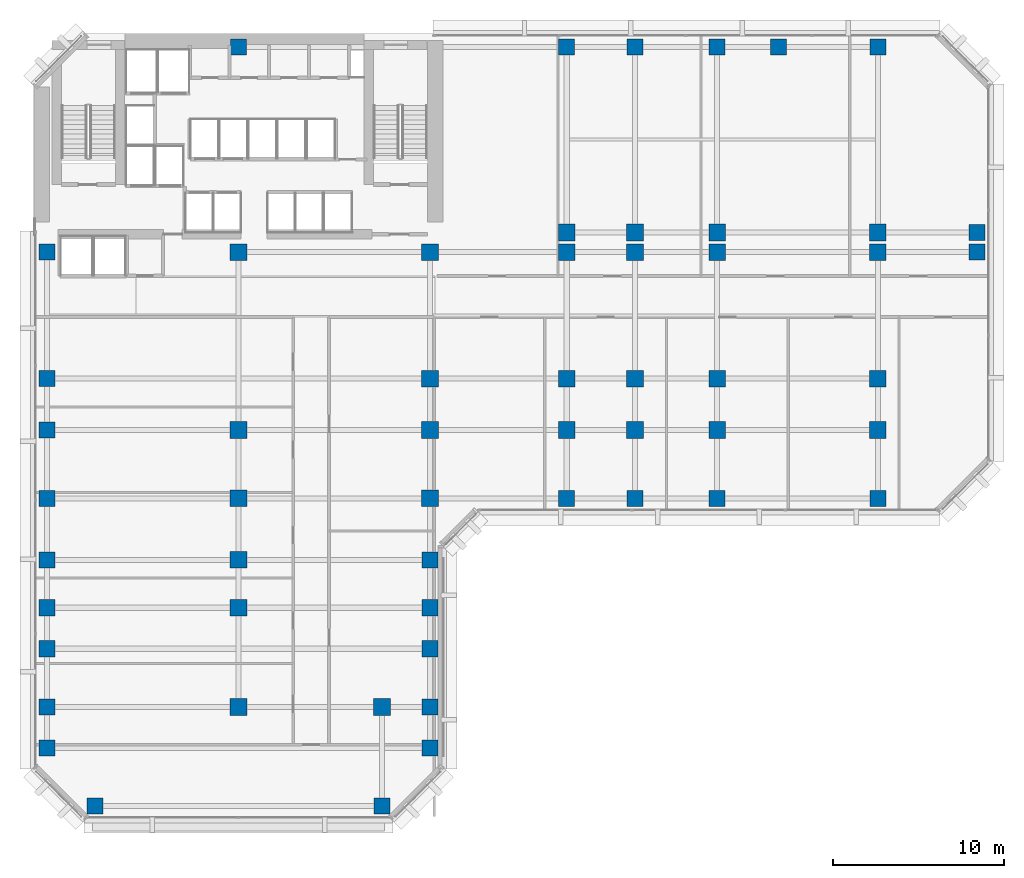
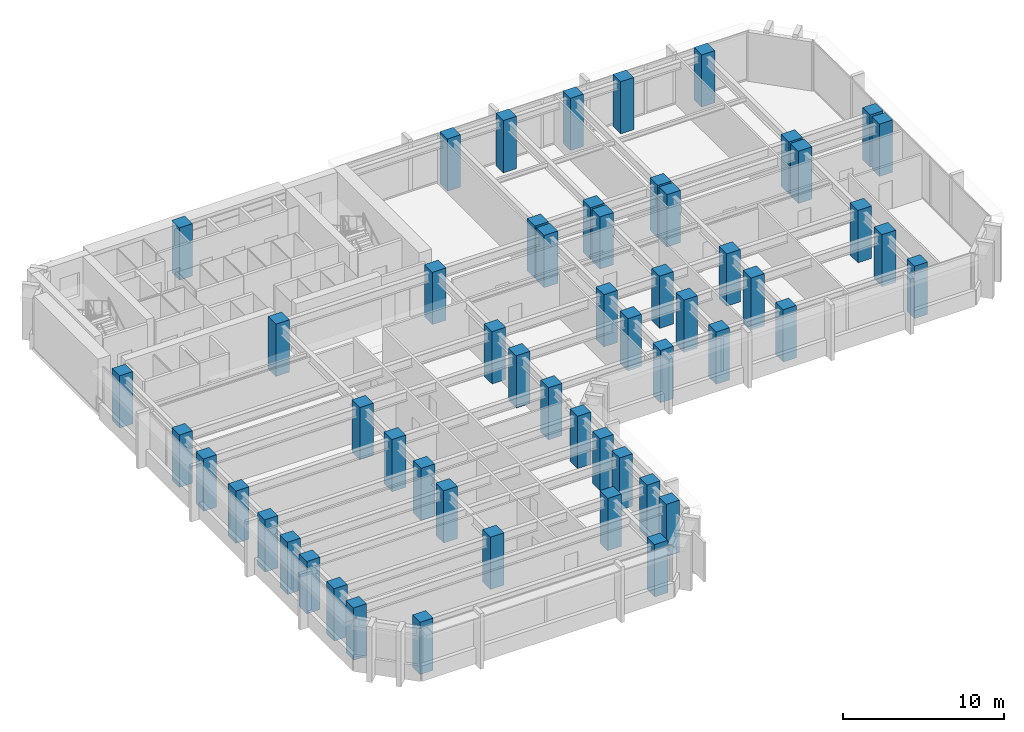
# One storey, part 1 of 13: 55 columns.
"""IFC4 building model written with IfcOpenShell, lengths in metres."""

from ifc_helpers import new_model, si_unit, direction, frame, origin, origin_2d, place, context, subcontext, project, spatial, rectangle, extrude, material, material_profile, profile_set, type_object, element, save


model = new_model("IFC4")

# Units and contexts
model_context = context("Model", 3, precision=1e-05, world=origin(), true_north=direction((0.0, 1.0)))
body_context = subcontext(model_context, "Body", "Model", "MODEL_VIEW")
ifc_project = project(units=[si_unit("LENGTHUNIT", "METRE"), si_unit("AREAUNIT", "SQUARE_METRE"), si_unit("VOLUMEUNIT", "CUBIC_METRE"), si_unit("PLANEANGLEUNIT", "RADIAN"), si_unit("MASSUNIT", "GRAM", prefix="KILO")], contexts=[model_context])

# Site, building, storey
site_placement = place(None, origin())
site = spatial("IfcSite", under=ifc_project, at=site_placement, CompositionType="ELEMENT")
building_placement = place(site_placement, origin())
building = spatial("IfcBuilding", under=site, at=building_placement, Name="Kefirva Bronze Tower", CompositionType="ELEMENT")
storey_placement = place(building_placement, frame((0.0, 0.0, 58.080078125)))
storey = spatial("IfcBuildingStorey", under=building, at=storey_placement, Name="L13", CompositionType="ELEMENT", Elevation=58.080078125)

# Columns
ifc_material = material(Name="Concrete C60/75", Category="concrete")
ifc_material_profile_1 = material_profile(ifc_material, rectangle(XDim=0.93994140625, YDim=0.93994140625, at=origin_2d()), Name="RC 940x940")
ifc_profile_set_1 = profile_set([ifc_material_profile_1], Name="Concrete C60/75")
column_type_1 = type_object("IfcColumnType", Name="RC Column 940x940 Ext", PredefinedType="COLUMN", material=ifc_profile_set_1)
for number, where, z_axis, x_axis, name in (
    (1, (0.800048828125, 4.199951171875, 0.0), (0.0, 0.0, 1.0), (1.0, 0.0, 0.0), "L13 Column C008_042"),
    (2, (0.800048828125, 6.60009765625, 0.0), (0.0, 0.0, 1.0), (1.0, 0.0, 0.0), "L13 Column C008_066"),
    (3, (0.800048828125, 10.0, 0.0), (0.0, 0.0, 1.0), (1.0, 0.0, 0.0), "L13 Column C008_100"),
    (4, (0.800048828125, 12.39990234375, 0.0), (0.0, 0.0, 1.0), (1.0, 0.0, 0.0), "L13 Column C008_124"),
    (5, (0.800048828125, 15.199951171875, 0.0), (0.0, 0.0, 1.0), (1.0, 0.0, 0.0), "L13 Column C008_152"),
    (6, (0.800048828125, 18.800048828125, 0.0), (0.0, 0.0, 1.0), (1.0, 0.0, 0.0), "L13 Column C008_188"),
    (7, (0.800048828125, 22.800048828125, 0.0), (0.0, 0.0, 1.0), (1.0, 0.0, 0.0), "L13 Column C008_228"),
    (8, (0.800048828125, 25.800048828125, 0.0), (0.0, 0.0, 1.0), (1.0, 0.0, 0.0), "L13 Column C008_258"),
    (9, (0.800048828125, 33.199951171875, 0.0), (0.0, 0.0, 1.0), (1.0, 0.0, 0.0), "L13 Column C008_332"),
    (10, (3.60009765625, 0.800048828125, 0.0), (0.0, 0.0, 1.0), (1.0, 0.0, 0.0), "L13 Column C036_008"),
    (11, (12.0, 45.199951171875, 0.0), (0.0, 0.0, 1.0), (1.0, 0.0, 0.0), "L13 Column C120_452"),
    (12, (20.39990234375, 0.800048828125, 0.0), (0.0, 0.0, 1.0), (1.0, 0.0, 0.0), "L13 Column C204_008"),
    (13, (23.199951171875, 4.199951171875, 0.0), (0.0, 0.0, 1.0), (1.0, 0.0, 0.0), "L13 Column C232_042"),
    (14, (23.199951171875, 6.60009765625, 0.0), (0.0, 0.0, 1.0), (1.0, 0.0, 0.0), "L13 Column C232_066"),
    (15, (23.199951171875, 10.0, 0.0), (0.0, 0.0, 1.0), (1.0, 0.0, 0.0), "L13 Column C232_100"),
    (16, (23.199951171875, 12.39990234375, 0.0), (0.0, 0.0, 1.0), (1.0, 0.0, 0.0), "L13 Column C232_124"),
    (17, (23.199951171875, 15.199951171875, 0.0), (0.0, 0.0, 1.0), (1.0, 0.0, 0.0), "L13 Column C232_152"),
    (18, (31.199951171875, 18.800048828125, 0.0), (0.0, 0.0, 1.0), (1.0, 0.0, 0.0), "L13 Column C312_188"),
    (19, (31.199951171875, 45.199951171875, 0.0), (0.0, 0.0, 1.0), (1.0, 0.0, 0.0), "L13 Column C312_452"),
    (20, (35.199951171875, 18.800048828125, 0.0), (0.0, 0.0, 1.0), (1.0, 0.0, 0.0), "L13 Column C352_188"),
    (21, (35.199951171875, 45.199951171875, 0.0), (0.0, 0.0, 1.0), (1.0, 0.0, 0.0), "L13 Column C352_452"),
    (22, (40.0, 18.800048828125, 0.0), (0.0, 0.0, 1.0), (1.0, 0.0, 0.0), "L13 Column C400_188"),
    (23, (40.0, 45.199951171875, 0.0), (0.0, 0.0, 1.0), (1.0, 0.0, 0.0), "L13 Column C400_452"),
    (24, (43.60009765625, 45.199951171875, 0.0), (0.0, 0.0, 1.0), (1.0, 0.0, 0.0), "L13 Column C436_452"),
    (25, (49.39990234375, 18.800048828125, 0.0), (0.0, 0.0, 1.0), (1.0, 0.0, 0.0), "L13 Column C494_188"),
    (26, (49.39990234375, 45.199951171875, 0.0), (0.0, 0.0, 1.0), (1.0, 0.0, 0.0), "L13 Column C494_452"),
    (27, (55.199951171875, 33.199951171875, 0.0), (0.0, 0.0, 1.0), (1.0, 0.0, 0.0), "L13 Column C552_332"),
    (28, (55.199951171875, 34.35009765625, 0.0), (0.0, 0.0, 1.0), (1.0, 0.0, 0.0), "L13 Column C552_344"),
):
    element("IfcColumn", number, at=place(storey_placement, frame(where, z_axis=z_axis, x_axis=x_axis)), inside=storey, type_object=column_type_1, Name=name, PredefinedType="COLUMN", context=body_context, shape_type="SweptSolid", body=[
        extrude(rectangle(XDim=0.93994140625, YDim=0.93994140625, at=origin_2d()), origin(), (0.0, 0.0, 1.0), 3.9599609375),
    ])
ifc_material_profile_2 = material_profile(ifc_material, rectangle(XDim=0.97998046875, YDim=0.97998046875, at=origin_2d()), Name="RC 980x980")
ifc_profile_set_2 = profile_set([ifc_material_profile_2], Name="Concrete C60/75")
column_type_2 = type_object("IfcColumnType", Name="RC Column 980x980 Int", PredefinedType="COLUMN", material=ifc_profile_set_2)
for number, where, z_axis, x_axis, name in (
    (29, (12.0, 6.60009765625, 0.0), (0.0, 0.0, 1.0), (1.0, 0.0, 0.0), "L13 Column C120_066"),
    (30, (12.0, 12.39990234375, 0.0), (0.0, 0.0, 1.0), (1.0, 0.0, 0.0), "L13 Column C120_124"),
    (31, (12.0, 15.199951171875, 0.0), (0.0, 0.0, 1.0), (1.0, 0.0, 0.0), "L13 Column C120_152"),
    (32, (12.0, 18.800048828125, 0.0), (0.0, 0.0, 1.0), (1.0, 0.0, 0.0), "L13 Column C120_188"),
    (33, (12.0, 22.800048828125, 0.0), (0.0, 0.0, 1.0), (1.0, 0.0, 0.0), "L13 Column C120_228"),
    (34, (12.0, 33.199951171875, 0.0), (0.0, 0.0, 1.0), (1.0, 0.0, 0.0), "L13 Column C120_332"),
    (35, (20.39990234375, 6.60009765625, 0.0), (0.0, 0.0, 1.0), (1.0, 0.0, 0.0), "L13 Column C204_066"),
    (36, (23.199951171875, 18.800048828125, 0.0), (0.0, 0.0, 1.0), (1.0, 0.0, 0.0), "L13 Column C232_188"),
    (37, (23.199951171875, 22.800048828125, 0.0), (0.0, 0.0, 1.0), (1.0, 0.0, 0.0), "L13 Column C232_228"),
    (38, (23.199951171875, 25.800048828125, 0.0), (0.0, 0.0, 1.0), (1.0, 0.0, 0.0), "L13 Column C232_258"),
    (39, (23.199951171875, 33.199951171875, 0.0), (0.0, 0.0, 1.0), (1.0, 0.0, 0.0), "L13 Column C232_332"),
    (40, (31.199951171875, 22.800048828125, 0.0), (0.0, 0.0, 1.0), (1.0, 0.0, 0.0), "L13 Column C312_228"),
    (41, (31.199951171875, 25.800048828125, 0.0), (0.0, 0.0, 1.0), (1.0, 0.0, 0.0), "L13 Column C312_258"),
    (42, (31.199951171875, 33.199951171875, 0.0), (0.0, 0.0, 1.0), (1.0, 0.0, 0.0), "L13 Column C312_332"),
    (43, (31.199951171875, 34.35009765625, 0.0), (0.0, 0.0, 1.0), (1.0, 0.0, 0.0), "L13 Column C312_344"),
    (44, (35.199951171875, 22.800048828125, 0.0), (0.0, 0.0, 1.0), (1.0, 0.0, 0.0), "L13 Column C352_228"),
    (45, (35.199951171875, 25.800048828125, 0.0), (0.0, 0.0, 1.0), (1.0, 0.0, 0.0), "L13 Column C352_258"),
    (46, (35.199951171875, 33.199951171875, 0.0), (0.0, 0.0, 1.0), (1.0, 0.0, 0.0), "L13 Column C352_332"),
    (47, (35.199951171875, 34.35009765625, 0.0), (0.0, 0.0, 1.0), (1.0, 0.0, 0.0), "L13 Column C352_344"),
    (48, (40.0, 22.800048828125, 0.0), (0.0, 0.0, 1.0), (1.0, 0.0, 0.0), "L13 Column C400_228"),
    (49, (40.0, 25.800048828125, 0.0), (0.0, 0.0, 1.0), (1.0, 0.0, 0.0), "L13 Column C400_258"),
    (50, (40.0, 33.199951171875, 0.0), (0.0, 0.0, 1.0), (1.0, 0.0, 0.0), "L13 Column C400_332"),
    (51, (40.0, 34.35009765625, 0.0), (0.0, 0.0, 1.0), (1.0, 0.0, 0.0), "L13 Column C400_344"),
    (52, (49.39990234375, 22.800048828125, 0.0), (0.0, 0.0, 1.0), (1.0, 0.0, 0.0), "L13 Column C494_228"),
    (53, (49.39990234375, 25.800048828125, 0.0), (0.0, 0.0, 1.0), (1.0, 0.0, 0.0), "L13 Column C494_258"),
    (54, (49.39990234375, 33.199951171875, 0.0), (0.0, 0.0, 1.0), (1.0, 0.0, 0.0), "L13 Column C494_332"),
    (55, (49.39990234375, 34.35009765625, 0.0), (0.0, 0.0, 1.0), (1.0, 0.0, 0.0), "L13 Column C494_344"),
):
    element("IfcColumn", number, at=place(storey_placement, frame(where, z_axis=z_axis, x_axis=x_axis)), inside=storey, type_object=column_type_2, Name=name, PredefinedType="COLUMN", context=body_context, shape_type="SweptSolid", body=[
        extrude(rectangle(XDim=0.97998046875, YDim=0.97998046875, at=origin_2d()), origin(), (0.0, 0.0, 1.0), 3.9599609375),
    ])

save(model, "model.ifc")
